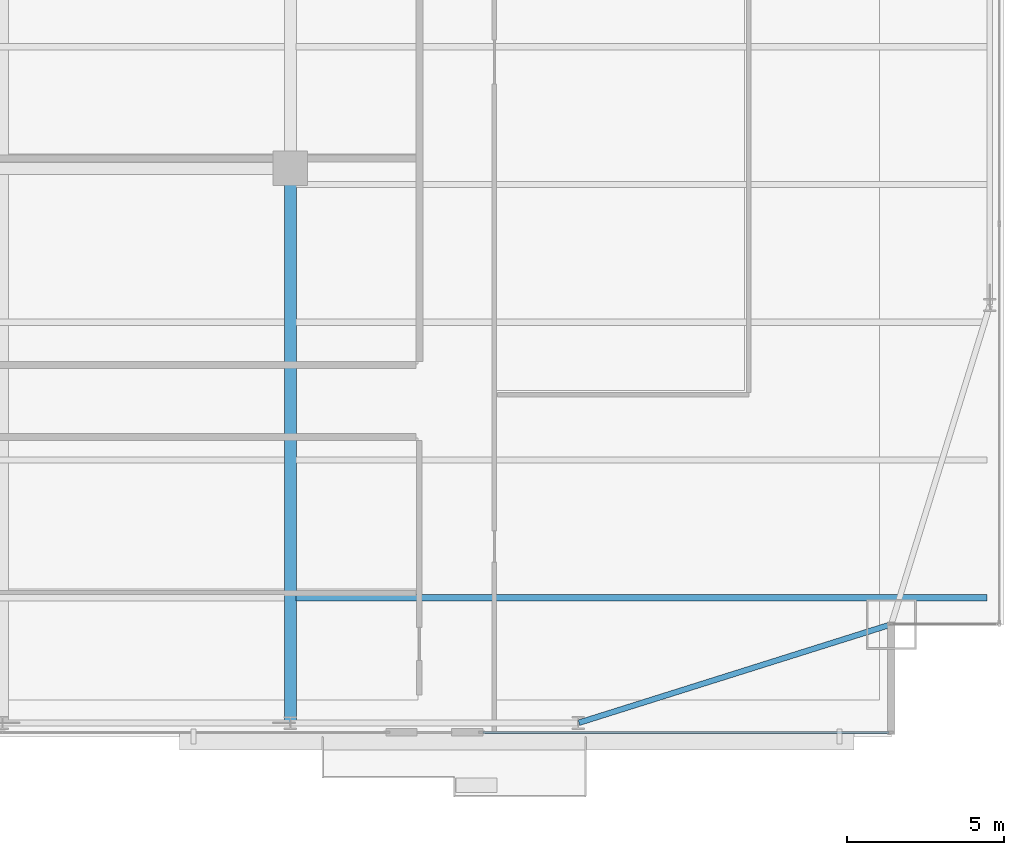
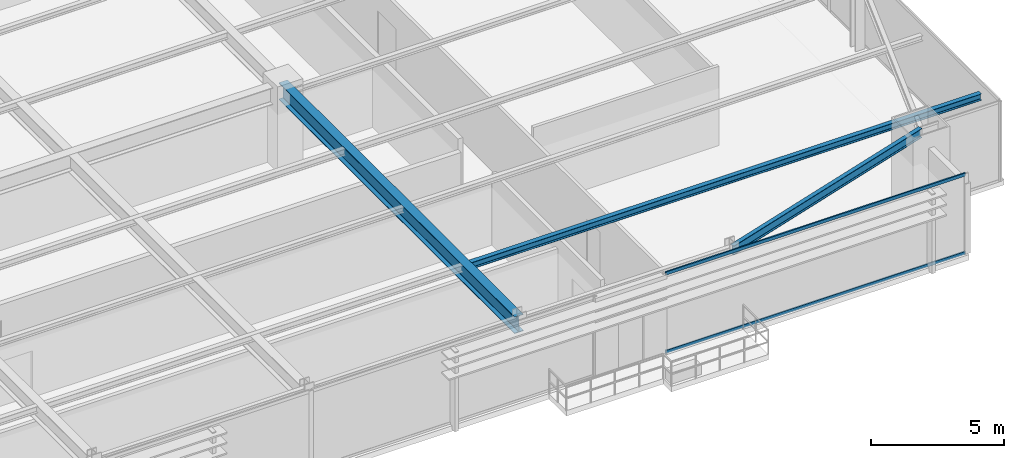
# One storey, part 13 of 31: 3 beams, 2 members, 1 element without a shape of its own.
"""IFC4 building model written with IfcOpenShell, lengths in metres."""

from ifc_helpers import new_model, si_unit, direction, frame, origin, origin_2d, place, context, subcontext, project, spatial, hollow_rectangle, i_section, extrude, source, transform, mapped, material, layer, layer_set, material_profile, profile_set, type_object, type_shapes, element, aggregate, save


model = new_model("IFC4")

# Units and contexts
model_context = context("Model", 3, precision=1e-05, world=origin(), true_north=direction((0.0, 1.0)))
body_context = subcontext(model_context, "Body", "Model", "MODEL_VIEW")
ifc_project = project(units=[si_unit("LENGTHUNIT", "METRE"), si_unit("AREAUNIT", "SQUARE_METRE"), si_unit("VOLUMEUNIT", "CUBIC_METRE"), si_unit("PLANEANGLEUNIT", "RADIAN"), si_unit("MASSUNIT", "GRAM", prefix="KILO")], contexts=[model_context])

# Site, building, storey
site_placement = place(None, origin())
site = spatial("IfcSite", under=ifc_project, at=site_placement, CompositionType="ELEMENT")
building_placement = place(site_placement, origin())
building = spatial("IfcBuilding", under=site, at=building_placement, Name="Varnel Quay Broadcast Tower", CompositionType="ELEMENT")
storey_placement = place(building_placement, frame((0.0, 0.0, 39.300048828125)))
storey = spatial("IfcBuildingStorey", under=building, at=storey_placement, Name="L08", CompositionType="ELEMENT", Elevation=39.300048828125)

# Beams
ifc_material_1 = material(Name="Structural Steel CSA G40.21 350W", Category="steel")
ifc_material_profile_1 = material_profile(ifc_material_1, i_section(OverallWidth=0.180908203125, OverallDepth=0.4169921875, WebThickness=0.010986328125, FlangeThickness=0.018310546875, FilletRadius=0.011962890625, at=origin_2d()), Name="W410X85")
ifc_profile_set_1 = profile_set([ifc_material_profile_1], Name="Structural Steel CSA G40.21 350W")
beam_type_1 = type_object("IfcBeamType", Name="Beam_W410X85", PredefinedType="SPANDREL", material=ifc_profile_set_1)
shared_shape_1 = source(origin(), body_context, "Body", "SweptSolid", [
    extrude(i_section(OverallWidth=0.180908203125, OverallDepth=0.4169921875, WebThickness=0.010986328125, FlangeThickness=0.018310546875, FilletRadius=0.011962890625, at=origin_2d()), origin(), (0.0, 0.0, 1.0), 10.444091796875),
])
type_shapes(beam_type_1, [shared_shape_1])
beam_1_placement = place(storey_placement, frame((52.419189453125, 1.656005859375, 3.44140625), z_axis=(0.953798277271, 0.300447743003, 0.0), x_axis=(-0.300447743003, 0.953798277271, 0.0)))
element("IfcBeam", 1, at=beam_1_placement, inside=storey, type_object=beam_type_1, Name="L08 South Spandrel TC-S5-MC-SE", PredefinedType="SPANDREL", context=body_context, shape_type="MappedRepresentation", body=[
    mapped(shared_shape_1, transform((0.0, 0.0, 0.0), x_axis=(1.0, 0.0, 0.0), y_axis=(0.0, 1.0, 0.0), z_axis=(0.0, 0.0, 1.0), scale=1.0)),
])
ifc_material_profile_2 = material_profile(ifc_material_1, i_section(OverallWidth=0.381103515625, OverallDepth=0.77294921875, WebThickness=0.0166015625, FlangeThickness=0.027587890625, FilletRadius=0.01806640625, at=origin_2d()), Name="W760X257")
ifc_profile_set_2 = profile_set([ifc_material_profile_2], Name="Structural Steel CSA G40.21 350W")
beam_type_2 = type_object("IfcBeamType", Name="Girder_W760X257", PredefinedType="BEAM", material=ifc_profile_set_2)
shared_shape_2 = source(origin(), body_context, "Body", "SweptSolid", [
    extrude(i_section(OverallWidth=0.381103515625, OverallDepth=0.77294921875, WebThickness=0.0166015625, FlangeThickness=0.027587890625, FilletRadius=0.01806640625, at=origin_2d()), origin(), (0.0, 0.0, 1.0), 17.68017578125),
])
type_shapes(beam_type_2, [shared_shape_2])
beam_2_placement = place(storey_placement, frame((43.199951171875, 1.669921875, 3.263427734375), z_axis=(0.0, 1.0, 0.0), x_axis=(-1.0, 0.0, 0.0)))
element("IfcBeam", 2, at=beam_2_placement, inside=storey, type_object=beam_type_2, Name="L08 Primary Girder TC-S4-IC-02", PredefinedType="BEAM", context=body_context, shape_type="MappedRepresentation", body=[
    mapped(shared_shape_2, transform((0.0, 0.0, 0.0), x_axis=(1.0, 0.0, 0.0), y_axis=(0.0, 1.0, 0.0), z_axis=(0.0, 0.0, 1.0), scale=1.0)),
])
ifc_material_profile_3 = material_profile(ifc_material_1, i_section(OverallWidth=0.202880859375, OverallDepth=0.302978515625, WebThickness=0.007568359375, FlangeThickness=0.01318359375, FilletRadius=0.011962890625, at=origin_2d()), Name="W310X60")
ifc_profile_set_3 = profile_set([ifc_material_profile_3], Name="Structural Steel CSA G40.21 350W")
beam_type_3 = type_object("IfcBeamType", Name="Beam_W310X60", PredefinedType="JOIST", material=ifc_profile_set_3)
shared_shape_3 = source(origin(), body_context, "Body", "SweptSolid", [
    extrude(i_section(OverallWidth=0.202880859375, OverallDepth=0.302978515625, WebThickness=0.007568359375, FlangeThickness=0.01318359375, FilletRadius=0.011962890625, at=origin_2d()), origin(), (0.0, 0.0, 1.0), 22.0791015625),
])
type_shapes(beam_type_3, [shared_shape_3])
beam_3_placement = place(storey_placement, frame((43.385498046875, 5.64990234375, 3.49853515625), z_axis=(1.0, 0.0, 0.0), x_axis=(0.0, 1.0, 0.0)))
element("IfcBeam", 3, at=beam_3_placement, inside=storey, type_object=beam_type_3, Name="L08 East Floor Joist 1", PredefinedType="JOIST", context=body_context, shape_type="MappedRepresentation", body=[
    mapped(shared_shape_3, transform((0.0, 0.0, 0.0), x_axis=(1.0, 0.0, 0.0), y_axis=(0.0, 1.0, 0.0), z_axis=(0.0, 0.0, 1.0), scale=1.0)),
])

# Curtain wall, members
ifc_material_2 = material(Name="Anodised Bronze Aluminium 6063-T6", Category="aluminium")
ifc_layer = layer(ifc_material_2, 0.18994140625, Name="Anodised Bronze Aluminium 6063-T6")
ifc_layer_set = layer_set([ifc_layer], Name="Anodised Bronze Aluminium 6063-T6")
curtain_wall_type = type_object("IfcCurtainWallType", Name="CW_LowerTower", PredefinedType="NOTDEFINED", material=ifc_layer_set)
curtain_wall_placement = place(storey_placement, origin())
curtain_wall = element("IfcCurtainWall", 4, at=curtain_wall_placement, inside=storey, type_object=curtain_wall_type, Name="L08 South Unitised Curtain Wall 3", PredefinedType="NOTDEFINED")
ifc_material_profile_4 = material_profile(ifc_material_2, hollow_rectangle(XDim=0.06005859375, YDim=0.14501953125, WallThickness=0.00341796875, at=origin_2d()), Name="ALU60X145X3.5")
ifc_profile_set_4 = profile_set([ifc_material_profile_4], Name="Anodised Bronze Aluminium 6063-T6")
member_type = type_object("IfcMemberType", Name="Tran_CWS-02", PredefinedType="USERDEFINED", material=ifc_profile_set_4)
shared_shape_4 = source(origin(), body_context, "Body", "SweptSolid", [
    extrude(hollow_rectangle(XDim=0.06005859375, YDim=0.14501953125, WallThickness=0.00341796875, at=origin_2d()), origin(), (0.0, 0.0, 1.0), 12.97998046875),
])
type_shapes(member_type, [shared_shape_4])
member_1_placement = place(storey_placement, frame((49.35009765625, 1.35009765625, 0.030029296875), z_axis=(1.0, 0.0, 0.0), x_axis=(0.0, 1.0, 0.0)))
member_1 = element("IfcMember", 5, at=member_1_placement, type_object=member_type, Name="CWS-02 transom 1.1", ObjectType="TRANSOM", PredefinedType="USERDEFINED", context=body_context, shape_type="MappedRepresentation", body=[
    mapped(shared_shape_4, transform((0.0, 0.0, 0.0), x_axis=(1.0, 0.0, 0.0), y_axis=(0.0, 1.0, 0.0), z_axis=(0.0, 0.0, 1.0), scale=1.0)),
])
member_2_placement = place(storey_placement, frame((49.35009765625, 1.35009765625, 3.619873046875), z_axis=(1.0, 0.0, 0.0), x_axis=(0.0, 1.0, 0.0)))
member_2 = element("IfcMember", 6, at=member_2_placement, type_object=member_type, Name="CWS-02 transom 1.2", ObjectType="TRANSOM", PredefinedType="USERDEFINED", context=body_context, shape_type="MappedRepresentation", body=[
    mapped(shared_shape_4, transform((0.0, 0.0, 0.0), x_axis=(1.0, 0.0, 0.0), y_axis=(0.0, 1.0, 0.0), z_axis=(0.0, 0.0, 1.0), scale=1.0)),
])
aggregate(curtain_wall, [member_1, member_2])

save(model, "model.ifc")
